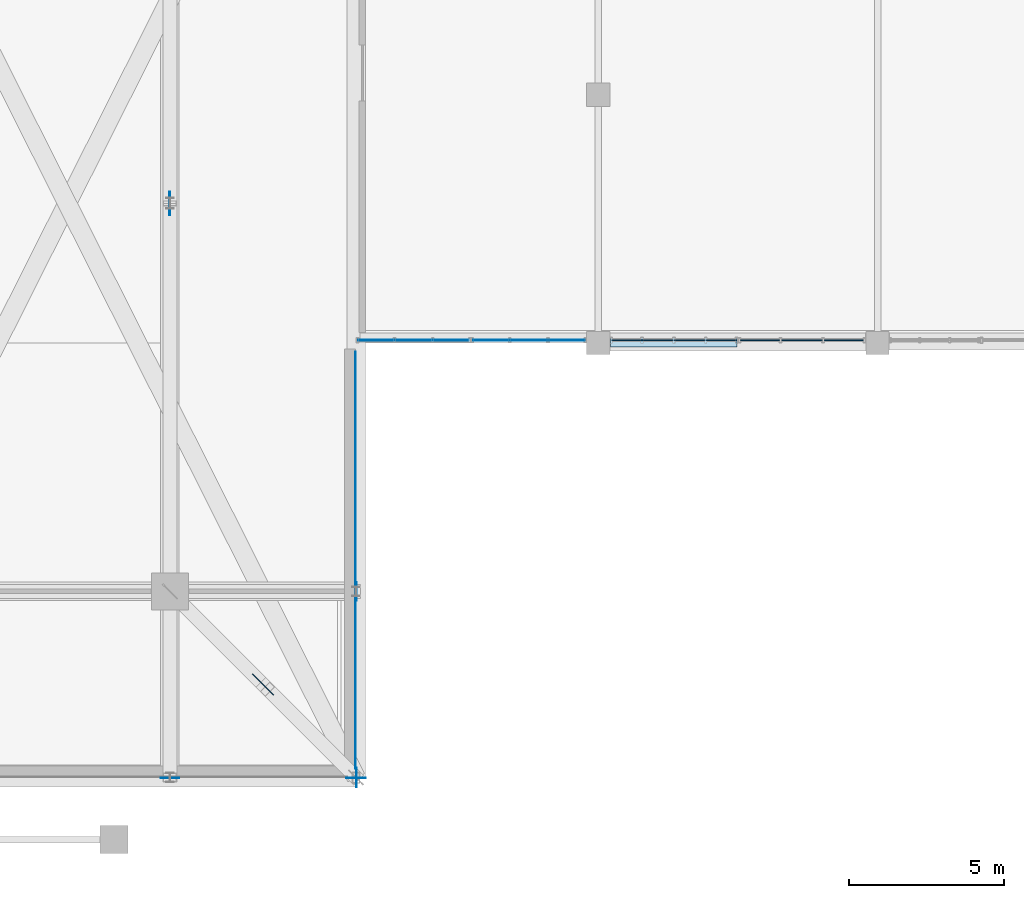
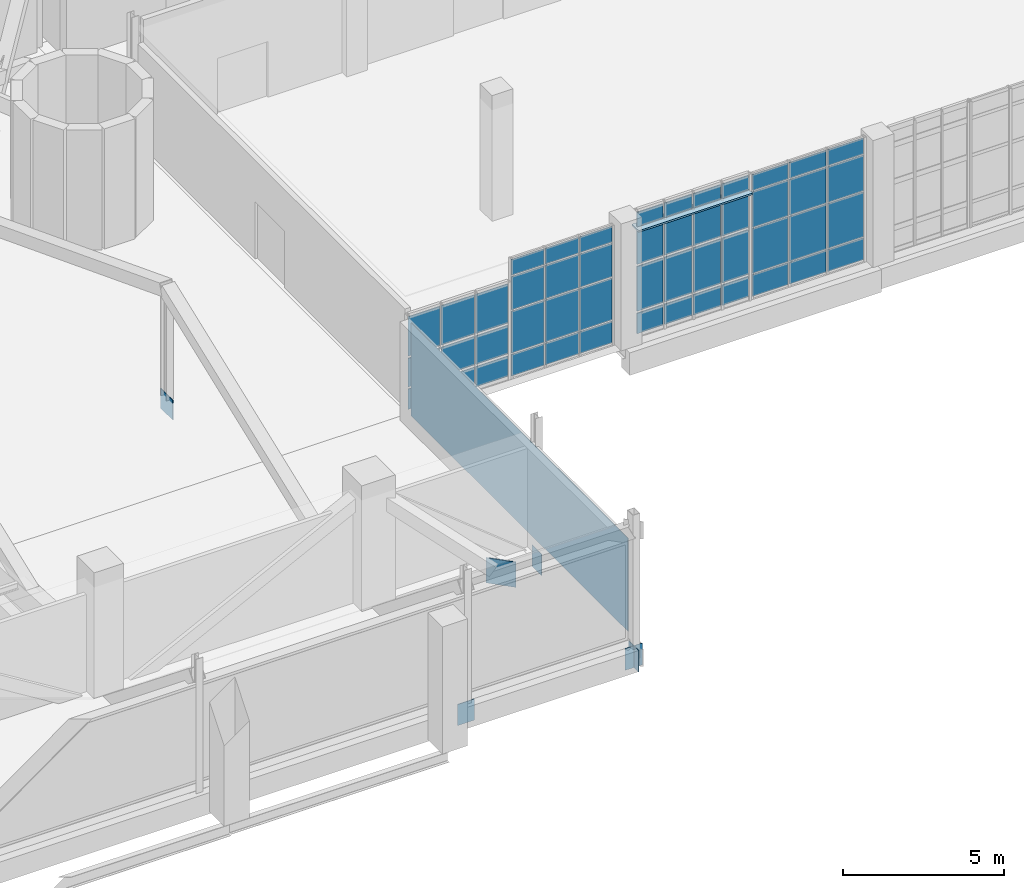
# One storey, part 94 of 127: 57 plates, 4 elements without a shape of their own.
"""IFC4 building model written with IfcOpenShell, lengths in metres."""

from ifc_helpers import new_model, si_unit, derived_unit, direction, frame, origin, origin_2d, place, context, subcontext, project, spatial, rectangle, extrude, material, layer, layer_set, type_object, element, aggregate, save


model = new_model("IFC4")

# Units and contexts
model_context = context("Model", 3, precision=1e-05, world=origin(), true_north=direction((0.0, 1.0)))
body_context = subcontext(model_context, "Body", "Model", "MODEL_VIEW")
ifc_project = project(units=[si_unit("LENGTHUNIT", "METRE"), si_unit("AREAUNIT", "SQUARE_METRE"), si_unit("VOLUMEUNIT", "CUBIC_METRE"), si_unit("PLANEANGLEUNIT", "RADIAN"), si_unit("MASSUNIT", "GRAM", prefix="KILO"), derived_unit("THERMALTRANSMITTANCEUNIT", [(si_unit("POWERUNIT", "WATT"), 1), (si_unit("LENGTHUNIT", "METRE"), -2), (si_unit("THERMODYNAMICTEMPERATUREUNIT", "KELVIN"), -1)])], contexts=[model_context])

# Site, building, storey
site_placement = place(None, origin())
site = spatial("IfcSite", under=ifc_project, at=site_placement, CompositionType="ELEMENT")
building_placement = place(site_placement, origin())
building = spatial("IfcBuilding", under=site, at=building_placement, Name="Nallur Shell Playhouse", CompositionType="ELEMENT")
storey_placement = place(building_placement, frame((0.0, 0.0, 5.39990234375)))
storey = spatial("IfcBuildingStorey", under=building, at=storey_placement, Name="L02", CompositionType="ELEMENT", Elevation=5.39990234375)

# Plates
ifc_material_1 = material(Name="Steel E350", Category="steel")
ifc_layer_1 = layer(ifc_material_1, 0.02001953125)
ifc_layer_set_1 = layer_set([ifc_layer_1], Name="Steel E350")
plate_type_1 = type_object("IfcPlateType", Name="PT-ENDCAP-20", PredefinedType="SHEET", material=ifc_layer_set_1)
plate_1_placement = place(storey_placement, frame((118.610107421875, 16.0, -1.080078125), z_axis=(0.0, 0.0, 1.0), x_axis=(1.0, 0.0, 0.0)))
element("IfcPlate", 1, at=plate_1_placement, inside=storey, type_object=plate_type_1, Name="Hollow end cap EC-TT-1-BC1", PredefinedType="SHEET", context=body_context, shape_type="SweptSolid", body=[
    extrude(rectangle(XDim=0.02001953125, YDim=0.60009765625, at=origin_2d()), origin(), (0.0, 0.0, 1.0), 0.800048828125),
])
plate_2_placement = place(storey_placement, frame((112.60009765625, 9.989990234375, -1.080078125), z_axis=(0.0, 0.0, 1.0), x_axis=(1.0, 0.0, 0.0)))
element("IfcPlate", 2, at=plate_2_placement, inside=storey, type_object=plate_type_1, Name="Hollow end cap EC-TT-8-BC0", PredefinedType="SHEET", context=body_context, shape_type="SweptSolid", body=[
    extrude(rectangle(XDim=0.60009765625, YDim=0.02001953125, at=origin_2d()), origin(), (0.0, 0.0, 1.0), 0.800048828125),
])
plate_3_placement = place(storey_placement, frame((118.610107421875, 10.0, -1.08984375), z_axis=(0.0, 0.0, 1.0), x_axis=(1.0, 0.0, 0.0)))
element("IfcPlate", 3, at=plate_3_placement, inside=storey, type_object=plate_type_1, Name="Hollow end cap EC-GB-L02-SB", PredefinedType="SHEET", context=body_context, shape_type="SweptSolid", body=[
    extrude(rectangle(XDim=0.02001953125, YDim=0.6201171875, at=origin_2d()), origin(), (0.0, 0.0, 1.0), 0.820068359375),
])
plate_4_placement = place(storey_placement, frame((118.60009765625, 9.989990234375, -1.08984375), z_axis=(0.0, 0.0, 1.0), x_axis=(1.0, 0.0, 0.0)))
element("IfcPlate", 4, at=plate_4_placement, inside=storey, type_object=plate_type_1, Name="Hollow end cap EC-GB-L02-EA", PredefinedType="SHEET", context=body_context, shape_type="SweptSolid", body=[
    extrude(rectangle(XDim=0.6201171875, YDim=0.02001953125, at=origin_2d()), origin(), (0.0, 0.0, 1.0), 0.820068359375),
])

# Curtain wall, plates
ifc_material_2 = material(Name="Anodised Aluminium Double-Glazed Facade System", Category="aluminium")
ifc_layer_2 = layer(ifc_material_2, 0.179931640625)
ifc_layer_set_2 = layer_set([ifc_layer_2], Name="Anodised Aluminium Double-Glazed Facade System")
curtain_wall_type_1 = type_object("IfcCurtainWallType", Name="CW-UNIT-17", PredefinedType="NOTDEFINED", material=ifc_layer_set_2)
curtain_wall_1_placement = place(storey_placement, origin())
curtain_wall_1 = element("IfcCurtainWall", 5, at=curtain_wall_1_placement, inside=storey, type_object=curtain_wall_type_1, Name="Unitised curtain wall CW-049 (L02)", PredefinedType="NOTDEFINED")
ifc_material_3 = material(Name="Solar-Control Low-E Laminated Insulating Glass", Category="glass")
ifc_layer_3 = layer(ifc_material_3, 0.02587890625)
ifc_layer_set_3 = layer_set([ifc_layer_3], Name="Solar-Control Low-E Laminated Insulating Glass")
plate_type_2 = type_object("IfcPlateType", Name="PT-GLZ-01", PredefinedType="CURTAIN_PANEL", material=ifc_layer_set_3)
plate_5_placement = place(storey_placement, frame((125.383544921875, 24.090087890625, 0.05712890625), z_axis=(0.0, 0.0, 1.0), x_axis=(-1.0, 0.0, 0.0)))
plate_5 = element("IfcPlate", 6, at=plate_5_placement, type_object=plate_type_2, Name="CW-17 panel 1.1", PredefinedType="CURTAIN_PANEL", context=body_context, shape_type="SweptSolid", body=[
    extrude(rectangle(XDim=1.153076171875, YDim=0.02587890625, at=origin_2d()), origin(), (0.0, 0.0, 1.0), 0.818603515625),
])
plate_6_placement = place(storey_placement, frame((125.383544921875, 24.090087890625, 0.924560546875), z_axis=(0.0, 0.0, 1.0), x_axis=(-1.0, 0.0, 0.0)))
plate_6 = element("IfcPlate", 7, at=plate_6_placement, type_object=plate_type_2, Name="CW-17 panel 1.2", PredefinedType="CURTAIN_PANEL", context=body_context, shape_type="SweptSolid", body=[
    extrude(rectangle(XDim=1.153076171875, YDim=0.02587890625, at=origin_2d()), origin(), (0.0, 0.0, 1.0), 1.58203125),
])
plate_7_placement = place(storey_placement, frame((125.383544921875, 24.090087890625, 2.5556640625), z_axis=(0.0, 0.0, 1.0), x_axis=(-1.0, 0.0, 0.0)))
plate_7 = element("IfcPlate", 8, at=plate_7_placement, type_object=plate_type_2, Name="CW-17 panel 1.3", PredefinedType="CURTAIN_PANEL", context=body_context, shape_type="SweptSolid", body=[
    extrude(rectangle(XDim=1.153076171875, YDim=0.02587890625, at=origin_2d()), origin(), (0.0, 0.0, 1.0), 1.260009765625),
])
plate_8_placement = place(storey_placement, frame((125.383544921875, 24.090087890625, 3.86474609375), z_axis=(0.0, 0.0, 1.0), x_axis=(-1.0, 0.0, 0.0)))
plate_8 = element("IfcPlate", 9, at=plate_8_placement, type_object=plate_type_2, Name="CW-17 panel 1.4", PredefinedType="CURTAIN_PANEL", context=body_context, shape_type="SweptSolid", body=[
    extrude(rectangle(XDim=1.153076171875, YDim=0.02587890625, at=origin_2d()), origin(), (0.0, 0.0, 1.0), 0.598388671875),
])
plate_9_placement = place(storey_placement, frame((124.165283203125, 24.090087890625, 0.05712890625), z_axis=(0.0, 0.0, 1.0), x_axis=(-1.0, 0.0, 0.0)))
plate_9 = element("IfcPlate", 10, at=plate_9_placement, type_object=plate_type_2, Name="CW-17 panel 2.1", PredefinedType="CURTAIN_PANEL", context=body_context, shape_type="SweptSolid", body=[
    extrude(rectangle(XDim=1.185546875, YDim=0.02587890625, at=origin_2d()), origin(), (0.0, 0.0, 1.0), 0.818603515625),
])
plate_10_placement = place(storey_placement, frame((124.165283203125, 24.090087890625, 0.924560546875), z_axis=(0.0, 0.0, 1.0), x_axis=(-1.0, 0.0, 0.0)))
plate_10 = element("IfcPlate", 11, at=plate_10_placement, type_object=plate_type_2, Name="CW-17 panel 2.2", PredefinedType="CURTAIN_PANEL", context=body_context, shape_type="SweptSolid", body=[
    extrude(rectangle(XDim=1.185546875, YDim=0.02587890625, at=origin_2d()), origin(), (0.0, 0.0, 1.0), 1.58203125),
])
plate_11_placement = place(storey_placement, frame((124.165283203125, 24.090087890625, 2.5556640625), z_axis=(0.0, 0.0, 1.0), x_axis=(-1.0, 0.0, 0.0)))
plate_11 = element("IfcPlate", 12, at=plate_11_placement, type_object=plate_type_2, Name="CW-17 panel 2.3", PredefinedType="CURTAIN_PANEL", context=body_context, shape_type="SweptSolid", body=[
    extrude(rectangle(XDim=1.185546875, YDim=0.02587890625, at=origin_2d()), origin(), (0.0, 0.0, 1.0), 1.260009765625),
])
plate_12_placement = place(storey_placement, frame((124.165283203125, 24.090087890625, 3.86474609375), z_axis=(0.0, 0.0, 1.0), x_axis=(-1.0, 0.0, 0.0)))
plate_12 = element("IfcPlate", 13, at=plate_12_placement, type_object=plate_type_2, Name="CW-17 panel 2.4", PredefinedType="CURTAIN_PANEL", context=body_context, shape_type="SweptSolid", body=[
    extrude(rectangle(XDim=1.185546875, YDim=0.02587890625, at=origin_2d()), origin(), (0.0, 0.0, 1.0), 0.598388671875),
])
plate_13_placement = place(storey_placement, frame((122.947021484375, 24.090087890625, 0.05712890625), z_axis=(0.0, 0.0, 1.0), x_axis=(-1.0, 0.0, 0.0)))
plate_13 = element("IfcPlate", 14, at=plate_13_placement, type_object=plate_type_2, Name="CW-17 panel 3.1", PredefinedType="CURTAIN_PANEL", context=body_context, shape_type="SweptSolid", body=[
    extrude(rectangle(XDim=1.153076171875, YDim=0.02587890625, at=origin_2d()), origin(), (0.0, 0.0, 1.0), 0.818603515625),
])
plate_14_placement = place(storey_placement, frame((122.947021484375, 24.090087890625, 0.924560546875), z_axis=(0.0, 0.0, 1.0), x_axis=(-1.0, 0.0, 0.0)))
plate_14 = element("IfcPlate", 15, at=plate_14_placement, type_object=plate_type_2, Name="CW-17 panel 3.2", PredefinedType="CURTAIN_PANEL", context=body_context, shape_type="SweptSolid", body=[
    extrude(rectangle(XDim=1.153076171875, YDim=0.02587890625, at=origin_2d()), origin(), (0.0, 0.0, 1.0), 1.58203125),
])
plate_15_placement = place(storey_placement, frame((122.947021484375, 24.090087890625, 2.5556640625), z_axis=(0.0, 0.0, 1.0), x_axis=(-1.0, 0.0, 0.0)))
plate_15 = element("IfcPlate", 16, at=plate_15_placement, type_object=plate_type_2, Name="CW-17 panel 3.3", PredefinedType="CURTAIN_PANEL", context=body_context, shape_type="SweptSolid", body=[
    extrude(rectangle(XDim=1.153076171875, YDim=0.02587890625, at=origin_2d()), origin(), (0.0, 0.0, 1.0), 1.260009765625),
])
plate_16_placement = place(storey_placement, frame((122.947021484375, 24.090087890625, 3.86474609375), z_axis=(0.0, 0.0, 1.0), x_axis=(-1.0, 0.0, 0.0)))
plate_16 = element("IfcPlate", 17, at=plate_16_placement, type_object=plate_type_2, Name="CW-17 panel 3.4", PredefinedType="CURTAIN_PANEL", context=body_context, shape_type="SweptSolid", body=[
    extrude(rectangle(XDim=1.153076171875, YDim=0.02587890625, at=origin_2d()), origin(), (0.0, 0.0, 1.0), 0.598388671875),
])
aggregate(curtain_wall_1, [plate_5, plate_6, plate_7, plate_8, plate_9, plate_10, plate_11, plate_12, plate_13, plate_14, plate_15, plate_16])

ifc_layer_4 = layer(ifc_material_2, 0.159912109375)
ifc_layer_set_4 = layer_set([ifc_layer_4], Name="Anodised Aluminium Double-Glazed Facade System")
curtain_wall_type_2 = type_object("IfcCurtainWallType", Name="CW-UNIT-18", PredefinedType="NOTDEFINED", material=ifc_layer_set_4)
curtain_wall_2_placement = place(storey_placement, origin())
curtain_wall_2 = element("IfcCurtainWall", 18, at=curtain_wall_2_placement, inside=storey, type_object=curtain_wall_type_2, Name="Unitised curtain wall CW-050 (L02)", PredefinedType="NOTDEFINED")
ifc_layer_5 = layer(ifc_material_3, 0.028076171875)
ifc_layer_set_5 = layer_set([ifc_layer_5], Name="Solar-Control Low-E Laminated Insulating Glass")
plate_type_3 = type_object("IfcPlateType", Name="PT-GLZ-02", PredefinedType="CURTAIN_PANEL", material=ifc_layer_set_5)
plate_17_placement = place(storey_placement, frame((121.666259765625, 24.090087890625, 0.092041015625), z_axis=(0.0, 0.0, 1.0), x_axis=(-1.0, 0.0, 0.0)))
plate_17 = element("IfcPlate", 19, at=plate_17_placement, type_object=plate_type_3, Name="CW-18 panel 1.1", PredefinedType="CURTAIN_PANEL", context=body_context, shape_type="SweptSolid", body=[
    extrude(rectangle(XDim=1.130615234375, YDim=0.028076171875, at=origin_2d()), origin(), (0.0, 0.0, 1.0), 0.76611328125),
])
plate_18_placement = place(storey_placement, frame((121.666259765625, 24.090087890625, 0.942138671875), z_axis=(0.0, 0.0, 1.0), x_axis=(-1.0, 0.0, 0.0)))
plate_18 = element("IfcPlate", 20, at=plate_18_placement, type_object=plate_type_3, Name="CW-18 panel 1.2", PredefinedType="CURTAIN_PANEL", context=body_context, shape_type="SweptSolid", body=[
    extrude(rectangle(XDim=1.130615234375, YDim=0.028076171875, at=origin_2d()), origin(), (0.0, 0.0, 1.0), 1.080078125),
])
plate_19_placement = place(storey_placement, frame((121.666259765625, 24.090087890625, 2.10595703125), z_axis=(0.0, 0.0, 1.0), x_axis=(-1.0, 0.0, 0.0)))
plate_19 = element("IfcPlate", 21, at=plate_19_placement, type_object=plate_type_3, Name="CW-18 panel 1.3", PredefinedType="CURTAIN_PANEL", context=body_context, shape_type="SweptSolid", body=[
    extrude(rectangle(XDim=1.130615234375, YDim=0.028076171875, at=origin_2d()), origin(), (0.0, 0.0, 1.0), 1.487060546875),
])
plate_20_placement = place(storey_placement, frame((120.45166015625, 24.090087890625, 0.092041015625), z_axis=(0.0, 0.0, 1.0), x_axis=(-1.0, 0.0, 0.0)))
plate_20 = element("IfcPlate", 22, at=plate_20_placement, type_object=plate_type_3, Name="CW-18 panel 2.1", PredefinedType="CURTAIN_PANEL", context=body_context, shape_type="SweptSolid", body=[
    extrude(rectangle(XDim=1.17041015625, YDim=0.028076171875, at=origin_2d()), origin(), (0.0, 0.0, 1.0), 0.76611328125),
])
plate_21_placement = place(storey_placement, frame((120.45166015625, 24.090087890625, 0.942138671875), z_axis=(0.0, 0.0, 1.0), x_axis=(-1.0, 0.0, 0.0)))
plate_21 = element("IfcPlate", 23, at=plate_21_placement, type_object=plate_type_3, Name="CW-18 panel 2.2", PredefinedType="CURTAIN_PANEL", context=body_context, shape_type="SweptSolid", body=[
    extrude(rectangle(XDim=1.17041015625, YDim=0.028076171875, at=origin_2d()), origin(), (0.0, 0.0, 1.0), 1.080078125),
])
plate_22_placement = place(storey_placement, frame((120.45166015625, 24.090087890625, 2.10595703125), z_axis=(0.0, 0.0, 1.0), x_axis=(-1.0, 0.0, 0.0)))
plate_22 = element("IfcPlate", 24, at=plate_22_placement, type_object=plate_type_3, Name="CW-18 panel 2.3", PredefinedType="CURTAIN_PANEL", context=body_context, shape_type="SweptSolid", body=[
    extrude(rectangle(XDim=1.17041015625, YDim=0.028076171875, at=origin_2d()), origin(), (0.0, 0.0, 1.0), 1.487060546875),
])
plate_23_placement = place(storey_placement, frame((119.2373046875, 24.090087890625, 0.092041015625), z_axis=(0.0, 0.0, 1.0), x_axis=(-1.0, 0.0, 0.0)))
plate_23 = element("IfcPlate", 25, at=plate_23_placement, type_object=plate_type_3, Name="CW-18 panel 3.1", PredefinedType="CURTAIN_PANEL", context=body_context, shape_type="SweptSolid", body=[
    extrude(rectangle(XDim=1.130615234375, YDim=0.028076171875, at=origin_2d()), origin(), (0.0, 0.0, 1.0), 0.76611328125),
])
plate_24_placement = place(storey_placement, frame((119.2373046875, 24.090087890625, 0.942138671875), z_axis=(0.0, 0.0, 1.0), x_axis=(-1.0, 0.0, 0.0)))
plate_24 = element("IfcPlate", 26, at=plate_24_placement, type_object=plate_type_3, Name="CW-18 panel 3.2", PredefinedType="CURTAIN_PANEL", context=body_context, shape_type="SweptSolid", body=[
    extrude(rectangle(XDim=1.130615234375, YDim=0.028076171875, at=origin_2d()), origin(), (0.0, 0.0, 1.0), 1.080078125),
])
plate_25_placement = place(storey_placement, frame((119.2373046875, 24.090087890625, 2.10595703125), z_axis=(0.0, 0.0, 1.0), x_axis=(-1.0, 0.0, 0.0)))
plate_25 = element("IfcPlate", 27, at=plate_25_placement, type_object=plate_type_3, Name="CW-18 panel 3.3", PredefinedType="CURTAIN_PANEL", context=body_context, shape_type="SweptSolid", body=[
    extrude(rectangle(XDim=1.130615234375, YDim=0.028076171875, at=origin_2d()), origin(), (0.0, 0.0, 1.0), 1.487060546875),
])
aggregate(curtain_wall_2, [plate_17, plate_18, plate_19, plate_20, plate_21, plate_22, plate_23, plate_24, plate_25])

ifc_layer_6 = layer(ifc_material_2, 0.172119140625)
ifc_layer_set_6 = layer_set([ifc_layer_6], Name="Anodised Aluminium Double-Glazed Facade System")
curtain_wall_type_3 = type_object("IfcCurtainWallType", Name="CW-UNIT-15", PredefinedType="NOTDEFINED", material=ifc_layer_set_6)
curtain_wall_3_placement = place(storey_placement, origin())
curtain_wall_3 = element("IfcCurtainWall", 28, at=curtain_wall_3_placement, inside=storey, type_object=curtain_wall_type_3, Name="Unitised curtain wall CW-047 (L02)", PredefinedType="NOTDEFINED")
ifc_layer_7 = layer(ifc_material_3, 0.0380859375)
ifc_layer_set_7 = layer_set([ifc_layer_7], Name="Solar-Control Low-E Laminated Insulating Glass")
plate_type_4 = type_object("IfcPlateType", Name="PT-GLZ-07", PredefinedType="CURTAIN_PANEL", material=ifc_layer_set_7)
plate_26_placement = place(storey_placement, frame((134.311767578125, 24.090087890625, 0.05712890625), z_axis=(0.0, 0.0, 1.0), x_axis=(-1.0, 0.0, 0.0)))
plate_26 = element("IfcPlate", 29, at=plate_26_placement, type_object=plate_type_4, Name="CW-15 panel 1.1", PredefinedType="CURTAIN_PANEL", context=body_context, shape_type="SweptSolid", body=[
    extrude(rectangle(XDim=1.2666015625, YDim=0.0380859375, at=origin_2d()), origin(), (0.0, 0.0, 1.0), 0.818603515625),
])
plate_27_placement = place(storey_placement, frame((134.311767578125, 24.090087890625, 0.924560546875), z_axis=(0.0, 0.0, 1.0), x_axis=(-1.0, 0.0, 0.0)))
plate_27 = element("IfcPlate", 30, at=plate_27_placement, type_object=plate_type_4, Name="CW-15 panel 1.2", PredefinedType="CURTAIN_PANEL", context=body_context, shape_type="SweptSolid", body=[
    extrude(rectangle(XDim=1.2666015625, YDim=0.0380859375, at=origin_2d()), origin(), (0.0, 0.0, 1.0), 1.68896484375),
])
plate_28_placement = place(storey_placement, frame((134.311767578125, 24.090087890625, 2.66259765625), z_axis=(0.0, 0.0, 1.0), x_axis=(-1.0, 0.0, 0.0)))
plate_28 = element("IfcPlate", 31, at=plate_28_placement, type_object=plate_type_4, Name="CW-15 panel 1.3", PredefinedType="CURTAIN_PANEL", context=body_context, shape_type="SweptSolid", body=[
    extrude(rectangle(XDim=1.2666015625, YDim=0.0380859375, at=origin_2d()), origin(), (0.0, 0.0, 1.0), 1.343017578125),
])
plate_29_placement = place(storey_placement, frame((134.311767578125, 24.090087890625, 4.0546875), z_axis=(0.0, 0.0, 1.0), x_axis=(-1.0, 0.0, 0.0)))
plate_29 = element("IfcPlate", 32, at=plate_29_placement, type_object=plate_type_4, Name="CW-15 panel 1.4", PredefinedType="CURTAIN_PANEL", context=body_context, shape_type="SweptSolid", body=[
    extrude(rectangle(XDim=1.2666015625, YDim=0.0380859375, at=origin_2d()), origin(), (0.0, 0.0, 1.0), 0.598388671875),
])
plate_30_placement = place(storey_placement, frame((132.9609375, 24.090087890625, 0.05712890625), z_axis=(0.0, 0.0, 1.0), x_axis=(-1.0, 0.0, 0.0)))
plate_30 = element("IfcPlate", 33, at=plate_30_placement, type_object=plate_type_4, Name="CW-15 panel 2.1", PredefinedType="CURTAIN_PANEL", context=body_context, shape_type="SweptSolid", body=[
    extrude(rectangle(XDim=1.306640625, YDim=0.0380859375, at=origin_2d()), origin(), (0.0, 0.0, 1.0), 0.818603515625),
])
plate_31_placement = place(storey_placement, frame((132.9609375, 24.090087890625, 0.924560546875), z_axis=(0.0, 0.0, 1.0), x_axis=(-1.0, 0.0, 0.0)))
plate_31 = element("IfcPlate", 34, at=plate_31_placement, type_object=plate_type_4, Name="CW-15 panel 2.2", PredefinedType="CURTAIN_PANEL", context=body_context, shape_type="SweptSolid", body=[
    extrude(rectangle(XDim=1.306640625, YDim=0.0380859375, at=origin_2d()), origin(), (0.0, 0.0, 1.0), 1.68896484375),
])
plate_32_placement = place(storey_placement, frame((132.9609375, 24.090087890625, 2.66259765625), z_axis=(0.0, 0.0, 1.0), x_axis=(-1.0, 0.0, 0.0)))
plate_32 = element("IfcPlate", 35, at=plate_32_placement, type_object=plate_type_4, Name="CW-15 panel 2.3", PredefinedType="CURTAIN_PANEL", context=body_context, shape_type="SweptSolid", body=[
    extrude(rectangle(XDim=1.306640625, YDim=0.0380859375, at=origin_2d()), origin(), (0.0, 0.0, 1.0), 1.343017578125),
])
plate_33_placement = place(storey_placement, frame((132.9609375, 24.090087890625, 4.0546875), z_axis=(0.0, 0.0, 1.0), x_axis=(-1.0, 0.0, 0.0)))
plate_33 = element("IfcPlate", 36, at=plate_33_placement, type_object=plate_type_4, Name="CW-15 panel 2.4", PredefinedType="CURTAIN_PANEL", context=body_context, shape_type="SweptSolid", body=[
    extrude(rectangle(XDim=1.306640625, YDim=0.0380859375, at=origin_2d()), origin(), (0.0, 0.0, 1.0), 0.598388671875),
])
plate_34_placement = place(storey_placement, frame((131.6103515625, 24.090087890625, 0.05712890625), z_axis=(0.0, 0.0, 1.0), x_axis=(-1.0, 0.0, 0.0)))
plate_34 = element("IfcPlate", 37, at=plate_34_placement, type_object=plate_type_4, Name="CW-15 panel 3.1", PredefinedType="CURTAIN_PANEL", context=body_context, shape_type="SweptSolid", body=[
    extrude(rectangle(XDim=1.2666015625, YDim=0.0380859375, at=origin_2d()), origin(), (0.0, 0.0, 1.0), 0.818603515625),
])
plate_35_placement = place(storey_placement, frame((131.6103515625, 24.090087890625, 0.924560546875), z_axis=(0.0, 0.0, 1.0), x_axis=(-1.0, 0.0, 0.0)))
plate_35 = element("IfcPlate", 38, at=plate_35_placement, type_object=plate_type_4, Name="CW-15 panel 3.2", PredefinedType="CURTAIN_PANEL", context=body_context, shape_type="SweptSolid", body=[
    extrude(rectangle(XDim=1.2666015625, YDim=0.0380859375, at=origin_2d()), origin(), (0.0, 0.0, 1.0), 1.68896484375),
])
plate_36_placement = place(storey_placement, frame((131.6103515625, 24.090087890625, 2.66259765625), z_axis=(0.0, 0.0, 1.0), x_axis=(-1.0, 0.0, 0.0)))
plate_36 = element("IfcPlate", 39, at=plate_36_placement, type_object=plate_type_4, Name="CW-15 panel 3.3", PredefinedType="CURTAIN_PANEL", context=body_context, shape_type="SweptSolid", body=[
    extrude(rectangle(XDim=1.2666015625, YDim=0.0380859375, at=origin_2d()), origin(), (0.0, 0.0, 1.0), 1.343017578125),
])
plate_37_placement = place(storey_placement, frame((131.6103515625, 24.090087890625, 4.0546875), z_axis=(0.0, 0.0, 1.0), x_axis=(-1.0, 0.0, 0.0)))
plate_37 = element("IfcPlate", 40, at=plate_37_placement, type_object=plate_type_4, Name="CW-15 panel 3.4", PredefinedType="CURTAIN_PANEL", context=body_context, shape_type="SweptSolid", body=[
    extrude(rectangle(XDim=1.2666015625, YDim=0.0380859375, at=origin_2d()), origin(), (0.0, 0.0, 1.0), 0.598388671875),
])
aggregate(curtain_wall_3, [plate_26, plate_27, plate_28, plate_29, plate_30, plate_31, plate_32, plate_33, plate_34, plate_35, plate_36, plate_37])

ifc_layer_8 = layer(ifc_material_2, 0.176025390625)
ifc_layer_set_8 = layer_set([ifc_layer_8], Name="Anodised Aluminium Double-Glazed Facade System")
curtain_wall_type_4 = type_object("IfcCurtainWallType", Name="CW-UNIT-16", PredefinedType="NOTDEFINED", material=ifc_layer_set_8)
curtain_wall_4_placement = place(storey_placement, origin())
curtain_wall_4 = element("IfcCurtainWall", 41, at=curtain_wall_4_placement, inside=storey, type_object=curtain_wall_type_4, Name="Unitised curtain wall CW-048 (L02)", PredefinedType="NOTDEFINED")
ifc_layer_9 = layer(ifc_material_3, 0.0400390625)
ifc_layer_set_9 = layer_set([ifc_layer_9], Name="Solar-Control Low-E Laminated Insulating Glass")
plate_type_5 = type_object("IfcPlateType", Name="PT-GLZ-08", PredefinedType="CURTAIN_PANEL", material=ifc_layer_set_9)
plate_38_placement = place(storey_placement, frame((130.3623046875, 24.090087890625, 0.092041015625), z_axis=(0.0, 0.0, 1.0), x_axis=(-1.0, 0.0, 0.0)))
plate_38 = element("IfcPlate", 42, at=plate_38_placement, type_object=plate_type_5, Name="CW-16 panel 1.1", PredefinedType="CURTAIN_PANEL", context=body_context, shape_type="SweptSolid", body=[
    extrude(rectangle(XDim=0.931396484375, YDim=0.0400390625, at=origin_2d()), origin(), (0.0, 0.0, 1.0), 0.76611328125),
])
plate_39_placement = place(storey_placement, frame((130.3623046875, 24.090087890625, 0.942138671875), z_axis=(0.0, 0.0, 1.0), x_axis=(-1.0, 0.0, 0.0)))
plate_39 = element("IfcPlate", 43, at=plate_39_placement, type_object=plate_type_5, Name="CW-16 panel 1.2", PredefinedType="CURTAIN_PANEL", context=body_context, shape_type="SweptSolid", body=[
    extrude(rectangle(XDim=0.931396484375, YDim=0.0400390625, at=origin_2d()), origin(), (0.0, 0.0, 1.0), 1.68701171875),
])
plate_40_placement = place(storey_placement, frame((130.3623046875, 24.090087890625, 2.713134765625), z_axis=(0.0, 0.0, 1.0), x_axis=(-1.0, 0.0, 0.0)))
plate_40 = element("IfcPlate", 44, at=plate_40_placement, type_object=plate_type_5, Name="CW-16 panel 1.3", PredefinedType="CURTAIN_PANEL", context=body_context, shape_type="SweptSolid", body=[
    extrude(rectangle(XDim=0.931396484375, YDim=0.0400390625, at=origin_2d()), origin(), (0.0, 0.0, 1.0), 1.3349609375),
])
plate_41_placement = place(storey_placement, frame((130.3623046875, 24.090087890625, 4.132080078125), z_axis=(0.0, 0.0, 1.0), x_axis=(-1.0, 0.0, 0.0)))
plate_41 = element("IfcPlate", 45, at=plate_41_placement, type_object=plate_type_5, Name="CW-16 panel 1.4", PredefinedType="CURTAIN_PANEL", context=body_context, shape_type="SweptSolid", body=[
    extrude(rectangle(XDim=0.931396484375, YDim=0.0400390625, at=origin_2d()), origin(), (0.0, 0.0, 1.0), 0.5458984375),
])
plate_42_placement = place(storey_placement, frame((129.35302734375, 24.090087890625, 0.092041015625), z_axis=(0.0, 0.0, 1.0), x_axis=(-1.0, 0.0, 0.0)))
plate_42 = element("IfcPlate", 46, at=plate_42_placement, type_object=plate_type_5, Name="CW-16 panel 2.1", PredefinedType="CURTAIN_PANEL", context=body_context, shape_type="SweptSolid", body=[
    extrude(rectangle(XDim=0.968994140625, YDim=0.0400390625, at=origin_2d()), origin(), (0.0, 0.0, 1.0), 0.76611328125),
])
plate_43_placement = place(storey_placement, frame((129.35302734375, 24.090087890625, 0.942138671875), z_axis=(0.0, 0.0, 1.0), x_axis=(-1.0, 0.0, 0.0)))
plate_43 = element("IfcPlate", 47, at=plate_43_placement, type_object=plate_type_5, Name="CW-16 panel 2.2", PredefinedType="CURTAIN_PANEL", context=body_context, shape_type="SweptSolid", body=[
    extrude(rectangle(XDim=0.968994140625, YDim=0.0400390625, at=origin_2d()), origin(), (0.0, 0.0, 1.0), 1.68701171875),
])
plate_44_placement = place(storey_placement, frame((129.35302734375, 24.090087890625, 2.713134765625), z_axis=(0.0, 0.0, 1.0), x_axis=(-1.0, 0.0, 0.0)))
plate_44 = element("IfcPlate", 48, at=plate_44_placement, type_object=plate_type_5, Name="CW-16 panel 2.3", PredefinedType="CURTAIN_PANEL", context=body_context, shape_type="SweptSolid", body=[
    extrude(rectangle(XDim=0.968994140625, YDim=0.0400390625, at=origin_2d()), origin(), (0.0, 0.0, 1.0), 1.3349609375),
])
plate_45_placement = place(storey_placement, frame((129.35302734375, 24.090087890625, 4.132080078125), z_axis=(0.0, 0.0, 1.0), x_axis=(-1.0, 0.0, 0.0)))
plate_45 = element("IfcPlate", 49, at=plate_45_placement, type_object=plate_type_5, Name="CW-16 panel 2.4", PredefinedType="CURTAIN_PANEL", context=body_context, shape_type="SweptSolid", body=[
    extrude(rectangle(XDim=0.968994140625, YDim=0.0400390625, at=origin_2d()), origin(), (0.0, 0.0, 1.0), 0.5458984375),
])
plate_46_placement = place(storey_placement, frame((128.324951171875, 24.090087890625, 0.092041015625), z_axis=(0.0, 0.0, 1.0), x_axis=(-1.0, 0.0, 0.0)))
plate_46 = element("IfcPlate", 50, at=plate_46_placement, type_object=plate_type_5, Name="CW-16 panel 3.1", PredefinedType="CURTAIN_PANEL", context=body_context, shape_type="SweptSolid", body=[
    extrude(rectangle(XDim=0.968994140625, YDim=0.0400390625, at=origin_2d()), origin(), (0.0, 0.0, 1.0), 0.76611328125),
])
plate_47_placement = place(storey_placement, frame((128.324951171875, 24.090087890625, 0.942138671875), z_axis=(0.0, 0.0, 1.0), x_axis=(-1.0, 0.0, 0.0)))
plate_47 = element("IfcPlate", 51, at=plate_47_placement, type_object=plate_type_5, Name="CW-16 panel 3.2", PredefinedType="CURTAIN_PANEL", context=body_context, shape_type="SweptSolid", body=[
    extrude(rectangle(XDim=0.968994140625, YDim=0.0400390625, at=origin_2d()), origin(), (0.0, 0.0, 1.0), 1.68701171875),
])
plate_48_placement = place(storey_placement, frame((128.324951171875, 24.090087890625, 2.713134765625), z_axis=(0.0, 0.0, 1.0), x_axis=(-1.0, 0.0, 0.0)))
plate_48 = element("IfcPlate", 52, at=plate_48_placement, type_object=plate_type_5, Name="CW-16 panel 3.3", PredefinedType="CURTAIN_PANEL", context=body_context, shape_type="SweptSolid", body=[
    extrude(rectangle(XDim=0.968994140625, YDim=0.0400390625, at=origin_2d()), origin(), (0.0, 0.0, 1.0), 1.3349609375),
])
plate_49_placement = place(storey_placement, frame((128.324951171875, 24.090087890625, 4.132080078125), z_axis=(0.0, 0.0, 1.0), x_axis=(-1.0, 0.0, 0.0)))
plate_49 = element("IfcPlate", 53, at=plate_49_placement, type_object=plate_type_5, Name="CW-16 panel 3.4", PredefinedType="CURTAIN_PANEL", context=body_context, shape_type="SweptSolid", body=[
    extrude(rectangle(XDim=0.968994140625, YDim=0.0400390625, at=origin_2d()), origin(), (0.0, 0.0, 1.0), 0.5458984375),
])
plate_50_placement = place(storey_placement, frame((127.315673828125, 24.090087890625, 0.092041015625), z_axis=(0.0, 0.0, 1.0), x_axis=(-1.0, 0.0, 0.0)))
plate_50 = element("IfcPlate", 54, at=plate_50_placement, type_object=plate_type_5, Name="CW-16 panel 4.1", PredefinedType="CURTAIN_PANEL", context=body_context, shape_type="SweptSolid", body=[
    extrude(rectangle(XDim=0.931396484375, YDim=0.0400390625, at=origin_2d()), origin(), (0.0, 0.0, 1.0), 0.76611328125),
])
plate_51_placement = place(storey_placement, frame((127.315673828125, 24.090087890625, 0.942138671875), z_axis=(0.0, 0.0, 1.0), x_axis=(-1.0, 0.0, 0.0)))
plate_51 = element("IfcPlate", 55, at=plate_51_placement, type_object=plate_type_5, Name="CW-16 panel 4.2", PredefinedType="CURTAIN_PANEL", context=body_context, shape_type="SweptSolid", body=[
    extrude(rectangle(XDim=0.931396484375, YDim=0.0400390625, at=origin_2d()), origin(), (0.0, 0.0, 1.0), 1.68701171875),
])
plate_52_placement = place(storey_placement, frame((127.315673828125, 24.090087890625, 2.713134765625), z_axis=(0.0, 0.0, 1.0), x_axis=(-1.0, 0.0, 0.0)))
plate_52 = element("IfcPlate", 56, at=plate_52_placement, type_object=plate_type_5, Name="CW-16 panel 4.3", PredefinedType="CURTAIN_PANEL", context=body_context, shape_type="SweptSolid", body=[
    extrude(rectangle(XDim=0.931396484375, YDim=0.0400390625, at=origin_2d()), origin(), (0.0, 0.0, 1.0), 1.3349609375),
])
plate_53_placement = place(storey_placement, frame((127.315673828125, 24.090087890625, 4.132080078125), z_axis=(0.0, 0.0, 1.0), x_axis=(-1.0, 0.0, 0.0)))
plate_53 = element("IfcPlate", 57, at=plate_53_placement, type_object=plate_type_5, Name="CW-16 panel 4.4", PredefinedType="CURTAIN_PANEL", context=body_context, shape_type="SweptSolid", body=[
    extrude(rectangle(XDim=0.931396484375, YDim=0.0400390625, at=origin_2d()), origin(), (0.0, 0.0, 1.0), 0.5458984375),
])
aggregate(curtain_wall_4, [plate_38, plate_39, plate_40, plate_41, plate_42, plate_43, plate_44, plate_45, plate_46, plate_47, plate_48, plate_49, plate_50, plate_51, plate_52, plate_53])

# Plates
ifc_material_4 = material(Name="Gold-Anodised Perforated Aluminium Acoustic Cladding", Category="aluminium")
ifc_layer_10 = layer(ifc_material_4, 0.010009765625)
ifc_layer_set_10 = layer_set([ifc_layer_10], Name="Gold-Anodised Perforated Aluminium Acoustic Cladding")
plate_type_6 = type_object("IfcPlateType", Name="PT-GOLD-03", PredefinedType="SHEET", material=ifc_layer_set_10)
plate_54_placement = place(storey_placement, frame((118.577880859375, 17.0, 0.10009765625), z_axis=(0.0, 0.0, 1.0), x_axis=(0.0, -1.0, 0.0)))
element("IfcPlate", 58, at=plate_54_placement, inside=storey, type_object=plate_type_6, Name="Gold-anodised perforated aluminium cladding GC-003", PredefinedType="SHEET", context=body_context, shape_type="SweptSolid", body=[
    extrude(rectangle(XDim=13.429931640625, YDim=0.01806640625, at=origin_2d()), origin(), (0.0, 0.0, 1.0), 3.52490234375),
])
ifc_layer_11 = layer(ifc_material_1, 0.02490234375)
ifc_layer_set_11 = layer_set([ifc_layer_11], Name="Steel E350")
plate_type_7 = type_object("IfcPlateType", Name="PT-GUSSET-25", PredefinedType="USERDEFINED", material=ifc_layer_set_11)
plate_55_placement = place(storey_placement, frame((112.60009765625, 28.5, -0.635009765625), z_axis=(0.0, 0.0, 1.0), x_axis=(1.0, 0.0, 0.0)))
element("IfcPlate", 59, at=plate_55_placement, inside=storey, type_object=plate_type_7, Name="Transfer truss node gusset plate TN-01 (TT-8-3)", ObjectType="GUSSET PLATE", PredefinedType="USERDEFINED", context=body_context, shape_type="SweptSolid", body=[
    extrude(rectangle(XDim=0.02490234375, YDim=0.75, at=origin_2d()), origin(), (0.0, 0.0, 1.0), 0.75),
])
ifc_layer_12 = layer(ifc_material_1, 0.034912109375)
ifc_layer_set_12 = layer_set([ifc_layer_12], Name="Steel E350")
plate_type_8 = type_object("IfcPlateType", Name="PT-GUSSET-35", PredefinedType="USERDEFINED", material=ifc_layer_set_12)
plate_56_placement = place(storey_placement, frame((115.60009765625, 13.0, 1.2548828125), z_axis=(0.0, 0.0, 1.0), x_axis=(0.707106781187, -0.707106781187, 0.0)))
element("IfcPlate", 60, at=plate_56_placement, inside=storey, type_object=plate_type_8, Name="Corner transfer TTC-SE X-brace crossing gusset node plate", ObjectType="GUSSET PLATE", PredefinedType="USERDEFINED", context=body_context, shape_type="SweptSolid", body=[
    extrude(rectangle(XDim=0.949951171875, YDim=0.034912109375, at=origin_2d()), origin(), (0.0, 0.0, 1.0), 0.949951171875),
])
ifc_material_5 = material(Name="Terracotta & Gold-Anodised Monsoon Sunshade Blade", Category="masonry")
ifc_layer_13 = layer(ifc_material_5, 0.06005859375)
ifc_layer_set_13 = layer_set([ifc_layer_13], Name="Terracotta & Gold-Anodised Monsoon Sunshade Blade")
plate_type_9 = type_object("IfcPlateType", Name="PT-LOUVRE-04", PredefinedType="USERDEFINED", material=ifc_layer_set_13)
plate_57_placement = place(storey_placement, frame((128.839111328125, 24.090087890625, 4.06005859375), z_axis=(0.0, 0.0, 1.0), x_axis=(-1.0, 0.0, 0.0)))
element("IfcPlate", 61, at=plate_57_placement, inside=storey, type_object=plate_type_9, Name="Monsoon sunshade louvre blade LV-012", ObjectType="SUNSHADE LOUVRE", PredefinedType="USERDEFINED", context=body_context, shape_type="SweptSolid", body=[
    extrude(rectangle(XDim=4.072021484375, YDim=0.419921875, at=origin_2d()), origin(), (0.0, 0.0, 1.0), 0.06005859375),
])

save(model, "model.ifc")
